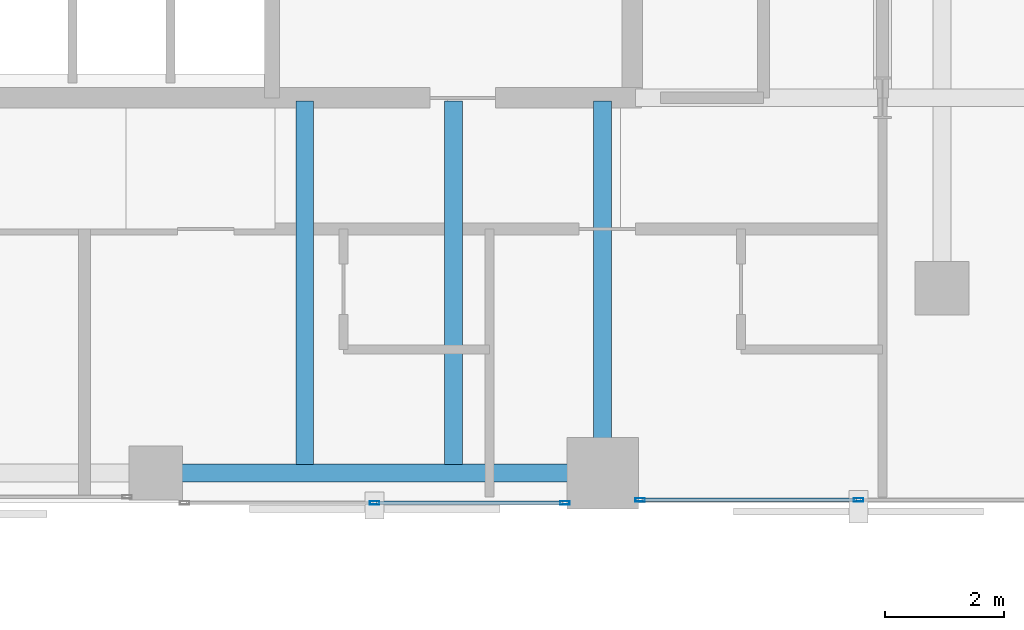
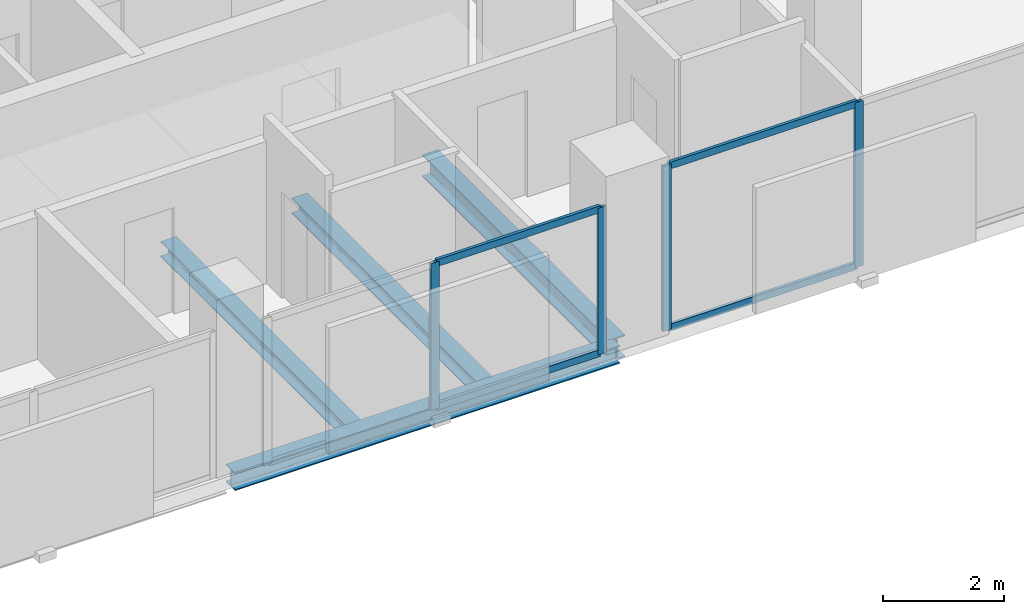
# One storey, part 14 of 34: 8 members, 4 beams, 2 elements without a shape of their own.
"""IFC4 building model written with IfcOpenShell, lengths in metres."""

from ifc_helpers import new_model, si_unit, direction, frame, origin, origin_2d, place, context, subcontext, project, spatial, hollow_rectangle, i_section, extrude, material, layer, layer_set, material_profile, profile_set, type_object, element, aggregate, save


model = new_model("IFC4")

# Units and contexts
model_context = context("Model", 3, precision=1e-05, world=origin(), true_north=direction((0.0, 1.0)))
body_context = subcontext(model_context, "Body", "Model", "MODEL_VIEW")
ifc_project = project(units=[si_unit("LENGTHUNIT", "METRE"), si_unit("AREAUNIT", "SQUARE_METRE"), si_unit("VOLUMEUNIT", "CUBIC_METRE"), si_unit("PLANEANGLEUNIT", "RADIAN"), si_unit("MASSUNIT", "GRAM", prefix="KILO")], contexts=[model_context])

# Site, building, storey
site_placement = place(None, origin())
site = spatial("IfcSite", under=ifc_project, at=site_placement, CompositionType="ELEMENT")
building_placement = place(site_placement, origin())
building = spatial("IfcBuilding", under=site, at=building_placement, Name="Catumbela Crestline Tower", CompositionType="ELEMENT")
storey_placement = place(building_placement, frame((0.0, 0.0, 115.2)))
storey = spatial("IfcBuildingStorey", under=building, at=storey_placement, Name="L29", CompositionType="ELEMENT", Elevation=115.2)

# Beams
ifc_material_1 = material(Name="Structural steel S355J2", Category="steel")
ifc_material_profile_1 = material_profile(ifc_material_1, i_section(OverallWidth=0.3, OverallDepth=0.45, WebThickness=0.014, FlangeThickness=0.026, FilletRadius=0.027, at=origin_2d()), Name="HEB 450")
ifc_profile_set_1 = profile_set([ifc_material_profile_1], Name="Structural steel S355J2")
beam_type_1 = type_object("IfcBeamType", Name="BG-HEB450", PredefinedType="BEAM", material=ifc_profile_set_1)
beam_1_placement = place(storey_placement, frame((39.5, 24.58, -0.485), z_axis=(0.0, 1.0, 0.0), x_axis=(-1.0, 0.0, 0.0)))
element("IfcBeam", 1, at=beam_1_placement, inside=storey, type_object=beam_type_1, Name="L29 Beam BM-L29-SNS31", PredefinedType="BEAM", context=body_context, shape_type="SweptSolid", body=[
    extrude(i_section(OverallWidth=0.3, OverallDepth=0.45, WebThickness=0.014, FlangeThickness=0.026, FilletRadius=0.027, at=origin_2d()), origin(), (0.0, 0.0, 1.0), 6.17),
])
ifc_material_profile_2 = material_profile(ifc_material_1, i_section(OverallWidth=0.3, OverallDepth=0.31, WebThickness=0.009, FlangeThickness=0.0155, FilletRadius=0.027, at=origin_2d()), Name="HEA 320")
ifc_profile_set_2 = profile_set([ifc_material_profile_2], Name="Structural steel S355J2")
beam_type_2 = type_object("IfcBeamType", Name="BJ-HEA320", PredefinedType="JOIST", material=ifc_profile_set_2)
for number, where, z_axis, x_axis, name in (
    (2, (34.5, 24.647, -0.415), (0.0, 1.0, 0.0), (-1.0, 0.0, 0.0), "L29 Joist JS-L29-SP41"),
    (3, (37.0, 24.647, -0.415), (0.0, 1.0, 0.0), (-1.0, 0.0, 0.0), "L29 Joist JS-L29-SP42"),
):
    element("IfcBeam", number, at=place(storey_placement, frame(where, z_axis=z_axis, x_axis=x_axis)), inside=storey, type_object=beam_type_2, Name=name, PredefinedType="JOIST", context=body_context, shape_type="SweptSolid", body=[
        extrude(i_section(OverallWidth=0.3, OverallDepth=0.31, WebThickness=0.009, FlangeThickness=0.0155, FilletRadius=0.027, at=origin_2d()), origin(), (0.0, 0.0, 1.0), 6.103),
    ])

# Curtain wall, members
ifc_material_2 = material(Name="Aluminium alloy AW-6060-T66", Category="aluminium")
ifc_layer = layer(ifc_material_2, 0.18, Name="Aluminium alloy AW-6060-T66")
ifc_layer_set = layer_set([ifc_layer], Name="Aluminium alloy AW-6060-T66")
curtain_wall_type = type_object("IfcCurtainWallType", Name="CWU-Z2", PredefinedType="USERDEFINED", material=ifc_layer_set)
curtain_wall_1_placement = place(storey_placement, origin())
curtain_wall_1 = element("IfcCurtainWall", 4, at=curtain_wall_1_placement, inside=storey, type_object=curtain_wall_type, Name="L29 Unitised Curtain Wall CW-L29-E3S2", ObjectType="UNITISED", PredefinedType="USERDEFINED")
ifc_material_profile_3 = material_profile(ifc_material_2, hollow_rectangle(XDim=0.06, YDim=0.16, WallThickness=0.004, at=origin_2d()), Name="ALU 160x60x4")
ifc_profile_set_3 = profile_set([ifc_material_profile_3], Name="Aluminium alloy AW-6060-T66")
member_type_1 = type_object("IfcMemberType", Name="MUL-160X60", PredefinedType="MULLION", material=ifc_profile_set_3)
member_1_placement = place(storey_placement, frame((35.675, 24.0, 0.0), z_axis=(0.0, 0.0, 1.0), x_axis=(0.0, 1.0, 0.0)))
member_1 = element("IfcMember", 5, at=member_1_placement, type_object=member_type_1, Name="CWU-Z2 mullion 2", PredefinedType="MULLION", context=body_context, shape_type="SweptSolid", body=[
    extrude(hollow_rectangle(XDim=0.06, YDim=0.16, WallThickness=0.004, at=origin_2d()), origin(), (0.0, 0.0, 1.0), 2.96),
])
member_2_placement = place(storey_placement, frame((38.8675, 24.0, 0.0), z_axis=(0.0, 0.0, 1.0), x_axis=(0.0, 1.0, 0.0)))
member_2 = element("IfcMember", 6, at=member_2_placement, type_object=member_type_1, Name="CWU-Z2 mullion 3", PredefinedType="MULLION", context=body_context, shape_type="SweptSolid", body=[
    extrude(hollow_rectangle(XDim=0.06, YDim=0.16, WallThickness=0.004, at=origin_2d()), origin(), (0.0, 0.0, 1.0), 2.96),
])

curtain_wall_2_placement = place(storey_placement, origin())
curtain_wall_2 = element("IfcCurtainWall", 7, at=curtain_wall_2_placement, inside=storey, type_object=curtain_wall_type, Name="L29 Unitised Curtain Wall CW-L29-E3S3", ObjectType="UNITISED", PredefinedType="USERDEFINED")
member_3_placement = place(storey_placement, frame((40.1325, 24.05, 0.0), z_axis=(0.0, 0.0, 1.0), x_axis=(0.0, 1.0, 0.0)))
member_3 = element("IfcMember", 8, at=member_3_placement, type_object=member_type_1, Name="CWU-Z2 mullion 1", PredefinedType="MULLION", context=body_context, shape_type="SweptSolid", body=[
    extrude(hollow_rectangle(XDim=0.06, YDim=0.16, WallThickness=0.004, at=origin_2d()), origin(), (0.0, 0.0, 1.0), 3.33),
])
member_4_placement = place(storey_placement, frame((43.8, 24.05, 0.0), z_axis=(0.0, 0.0, 1.0), x_axis=(0.0, 1.0, 0.0)))
member_4 = element("IfcMember", 9, at=member_4_placement, type_object=member_type_1, Name="CWU-Z2 mullion 2", PredefinedType="MULLION", context=body_context, shape_type="SweptSolid", body=[
    extrude(hollow_rectangle(XDim=0.06, YDim=0.16, WallThickness=0.004, at=origin_2d()), origin(), (0.0, 0.0, 1.0), 3.33),
])

# Beam
ifc_material_profile_4 = material_profile(ifc_material_1, i_section(OverallWidth=0.3, OverallDepth=0.36, WebThickness=0.0125, FlangeThickness=0.0225, FilletRadius=0.027, at=origin_2d()), Name="HEB 360")
ifc_profile_set_4 = profile_set([ifc_material_profile_4], Name="Structural steel S355J2")
beam_type_3 = type_object("IfcBeamType", Name="BS-HEB360", PredefinedType="SPANDREL", material=ifc_profile_set_4)
beam_2_placement = place(storey_placement, frame((32.08, 24.5, -0.44), z_axis=(1.0, 0.0, 0.0), x_axis=(0.0, 1.0, 0.0)))
element("IfcBeam", 10, at=beam_2_placement, inside=storey, type_object=beam_type_3, Name="L29 Spandrel SP-L29-S06", PredefinedType="SPANDREL", context=body_context, shape_type="SweptSolid", body=[
    extrude(i_section(OverallWidth=0.3, OverallDepth=0.36, WebThickness=0.0125, FlangeThickness=0.0225, FilletRadius=0.027, at=origin_2d()), origin(), (0.0, 0.0, 1.0), 7.34),
])

# Member
ifc_material_profile_5 = material_profile(ifc_material_2, hollow_rectangle(XDim=0.06, YDim=0.14, WallThickness=0.004, at=origin_2d()), Name="ALU 140x60x4")
ifc_profile_set_5 = profile_set([ifc_material_profile_5], Name="Aluminium alloy AW-6060-T66")
member_type_2 = type_object("IfcMemberType", Name="TRN-140X60", PredefinedType="USERDEFINED", material=ifc_profile_set_5)
member_5_placement = place(storey_placement, frame((35.7075, 24.0, 0.03), z_axis=(1.0, 0.0, 0.0), x_axis=(0.0, 1.0, 0.0)))
member_5 = element("IfcMember", 11, at=member_5_placement, type_object=member_type_2, Name="CWU-Z2 transom 2.1", ObjectType="TRANSOM", PredefinedType="USERDEFINED", context=body_context, shape_type="SweptSolid", body=[
    extrude(hollow_rectangle(XDim=0.06, YDim=0.14, WallThickness=0.004, at=origin_2d()), origin(), (0.0, 0.0, 1.0), 3.1275),
])

member_6_placement = place(storey_placement, frame((35.7075, 24.0, 2.93), z_axis=(1.0, 0.0, 0.0), x_axis=(0.0, 1.0, 0.0)))
member_6 = element("IfcMember", 12, at=member_6_placement, type_object=member_type_2, Name="CWU-Z2 transom 2.2", ObjectType="TRANSOM", PredefinedType="USERDEFINED", context=body_context, shape_type="SweptSolid", body=[
    extrude(hollow_rectangle(XDim=0.06, YDim=0.14, WallThickness=0.004, at=origin_2d()), origin(), (0.0, 0.0, 1.0), 3.1275),
])

aggregate(curtain_wall_1, [member_1, member_2, member_5, member_6])

member_7_placement = place(storey_placement, frame((40.165, 24.05, 0.03), z_axis=(1.0, 0.0, 0.0), x_axis=(0.0, 1.0, 0.0)))
member_7 = element("IfcMember", 13, at=member_7_placement, type_object=member_type_2, Name="CWU-Z2 transom 1.1", ObjectType="TRANSOM", PredefinedType="USERDEFINED", context=body_context, shape_type="SweptSolid", body=[
    extrude(hollow_rectangle(XDim=0.06, YDim=0.14, WallThickness=0.004, at=origin_2d()), origin(), (0.0, 0.0, 1.0), 3.6025),
])

member_8_placement = place(storey_placement, frame((40.165, 24.05, 3.3), z_axis=(1.0, 0.0, 0.0), x_axis=(0.0, 1.0, 0.0)))
member_8 = element("IfcMember", 14, at=member_8_placement, type_object=member_type_2, Name="CWU-Z2 transom 1.2", ObjectType="TRANSOM", PredefinedType="USERDEFINED", context=body_context, shape_type="SweptSolid", body=[
    extrude(hollow_rectangle(XDim=0.06, YDim=0.14, WallThickness=0.004, at=origin_2d()), origin(), (0.0, 0.0, 1.0), 3.6025),
])

aggregate(curtain_wall_2, [member_3, member_4, member_7, member_8])

save(model, "model.ifc")
